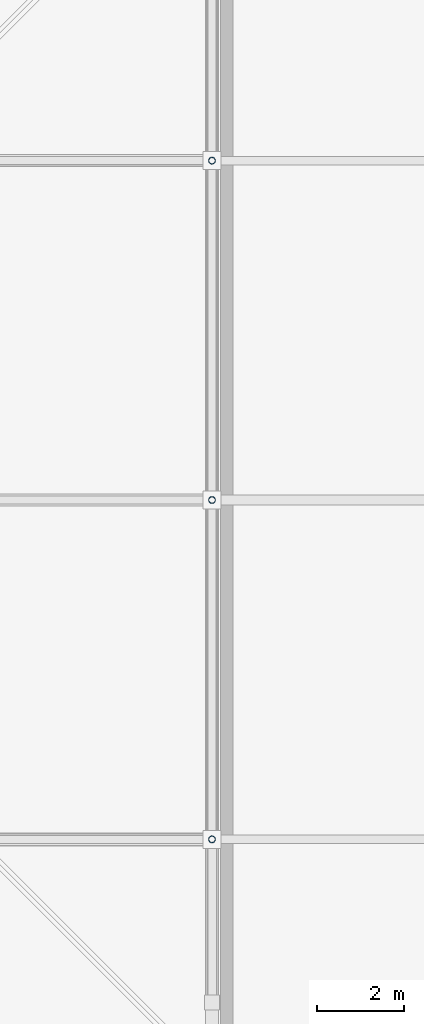
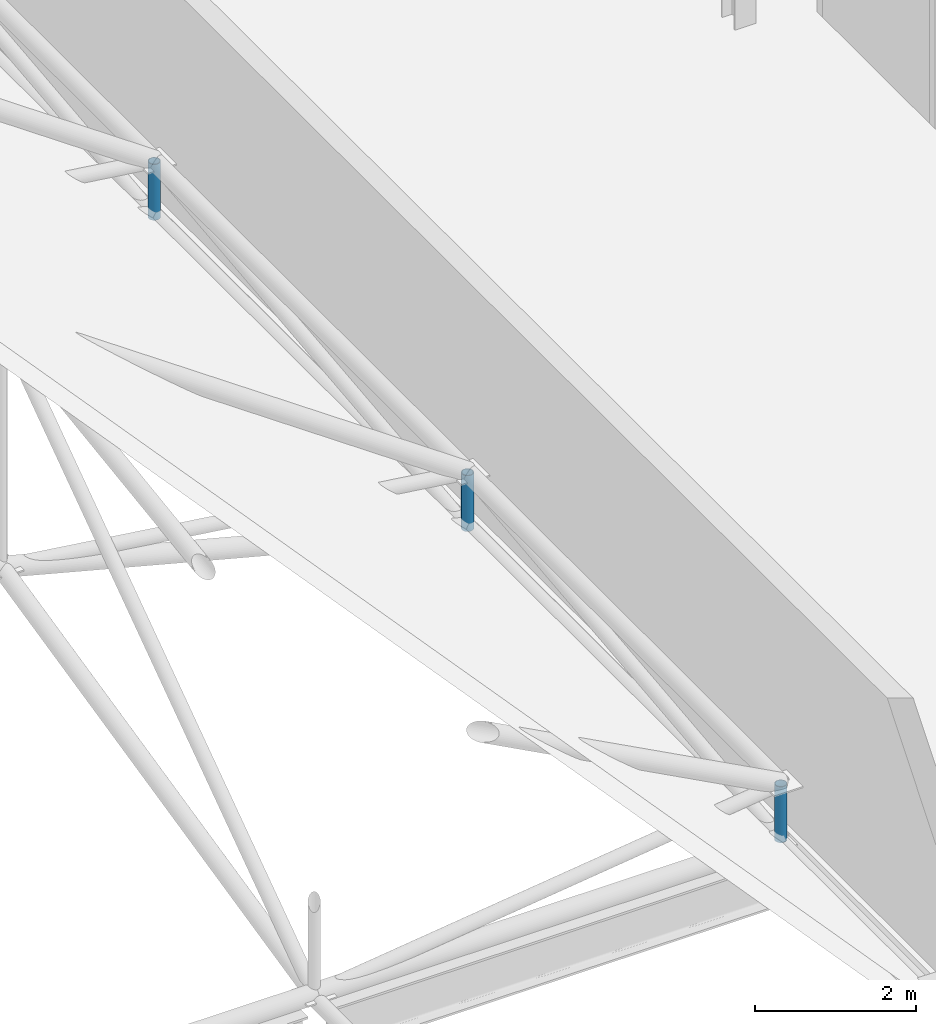
# One storey, part 48 of 77: 3 members.
"""IFC4 building model written with IfcOpenShell, lengths in metres."""

from ifc_helpers import new_model, si_unit, direction, frame, origin, origin_2d, place, context, subcontext, project, spatial, hollow_circle, extrude, material, material_profile, profile_set, type_object, element, save


model = new_model("IFC4")

# Units and contexts
model_context = context("Model", 3, precision=1e-05, world=origin(), true_north=direction((0.0, 1.0)))
body_context = subcontext(model_context, "Body", "Model", "MODEL_VIEW")
ifc_project = project(units=[si_unit("LENGTHUNIT", "METRE"), si_unit("AREAUNIT", "SQUARE_METRE"), si_unit("VOLUMEUNIT", "CUBIC_METRE"), si_unit("PLANEANGLEUNIT", "RADIAN"), si_unit("MASSUNIT", "GRAM", prefix="KILO")], contexts=[model_context])

# Site, building, storey
site_placement = place(None, origin())
site = spatial("IfcSite", under=ifc_project, at=site_placement, CompositionType="ELEMENT")
building_placement = place(site_placement, origin())
building = spatial("IfcBuilding", under=site, at=building_placement, Name="Nabrawat Pavilion Hospital", CompositionType="ELEMENT")
storey_placement = place(building_placement, frame((0.0, 0.0, 14.85009765625)))
storey = spatial("IfcBuildingStorey", under=building, at=storey_placement, Name="L03", CompositionType="ELEMENT", Elevation=14.85009765625)

# Members
ifc_material = material(Name="Steel S355", Category="steel")
ifc_material_profile = material_profile(ifc_material, hollow_circle(Radius=0.07958984375, WallThickness=0.008056640625, at=origin_2d()), Name="CHS 159x8")
ifc_profile_set = profile_set([ifc_material_profile], Name="Steel S355")
member_type = type_object("IfcMemberType", Name="Space Frame Vertical Web Post CHS 159x8", PredefinedType="BRACE", material=ifc_profile_set)
for number, where, z_axis, x_axis, name in (
    (1, (126.0, 15.60009765625, -0.050048828125), (0.0, 0.0, 1.0), (1.0, 0.0, 0.0), "Space Frame Diagonal Post 0253"),
    (2, (126.0, 23.39990234375, -0.050048828125), (0.0, 0.0, 1.0), (1.0, 0.0, 0.0), "Space Frame Diagonal Post 0257"),
    (3, (126.0, 31.199951171875, -0.050048828125), (0.0, 0.0, 1.0), (1.0, 0.0, 0.0), "Space Frame Diagonal Post 0261"),
):
    element("IfcMember", number, at=place(storey_placement, frame(where, z_axis=z_axis, x_axis=x_axis)), inside=storey, type_object=member_type, Name=name, PredefinedType="BRACE", context=body_context, shape_type="SweptSolid", body=[
        extrude(hollow_circle(Radius=0.07958984375, WallThickness=0.008056640625, at=origin_2d()), origin(), (0.0, 0.0, 1.0), 0.849853515625),
    ])

save(model, "model.ifc")
